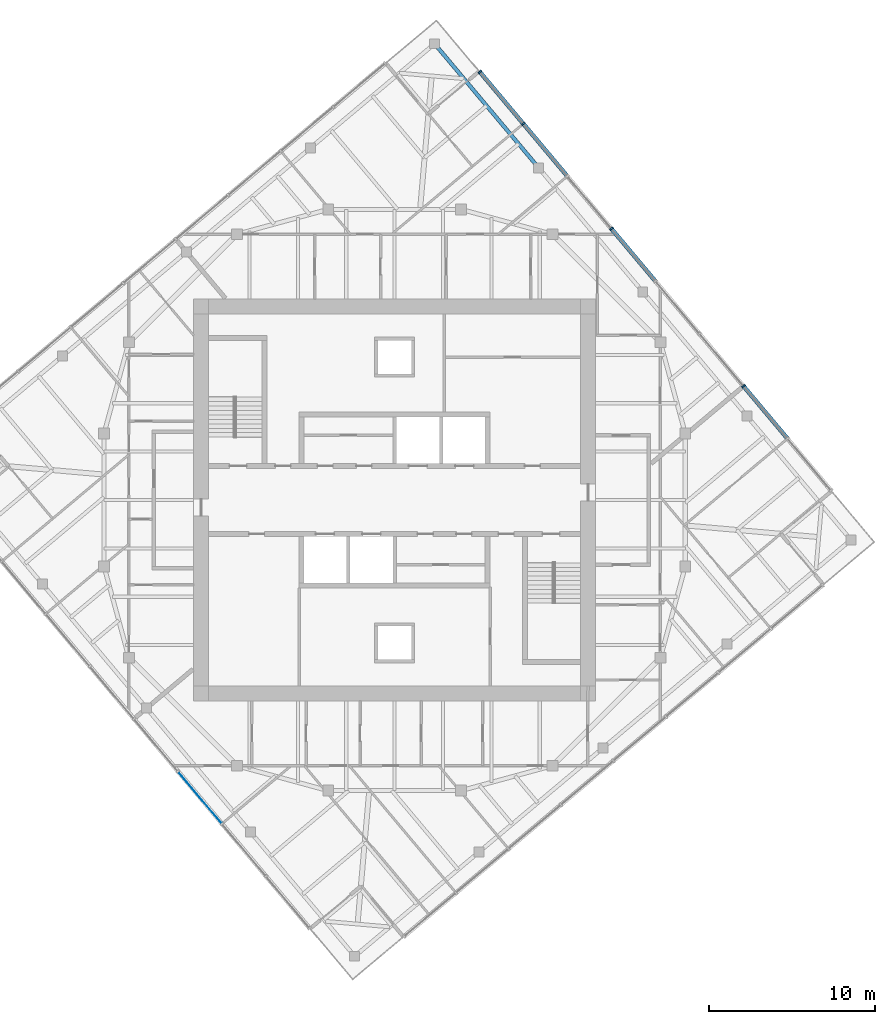
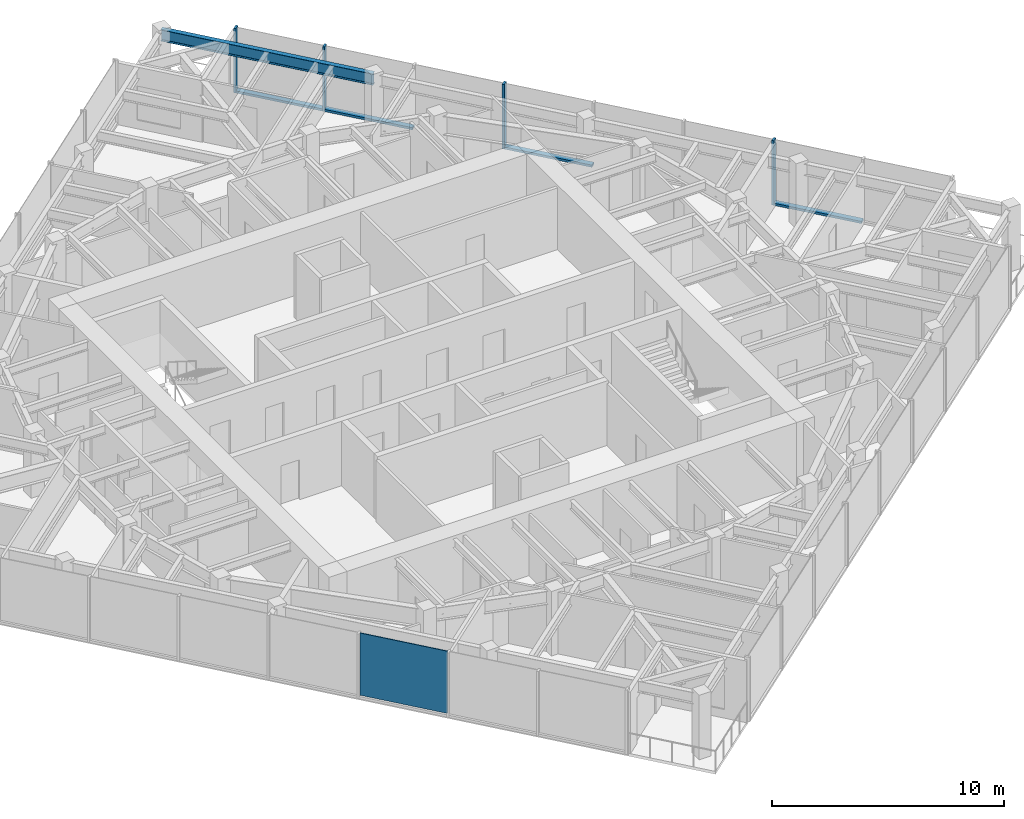
# One storey, part 5 of 12: 8 members, 1 beam, 1 plate, 2 elements without a shape of their own.
"""IFC4 building model written with IfcOpenShell, lengths in metres."""

import ifcopenshell
import ifcopenshell.guid

model = None  # the IFC model being written
_history = None  # IfcOwnerHistory: only IFC2X3 demands one
_inside = {}  # id of a spatial element -> (the spatial element, [elements in it])
_under = {}  # id of a project, library or spatial element -> (it, [spatial elements below it])
_declared = {}  # id of a project -> (the project, [libraries it declares])
_typed = {}  # id of a type object -> (the type object, [elements of that type])
_made_of = {}  # id of a material, layer set ... -> (it, [elements and type objects made of it])


def new_model(schema):
    """Start an empty IFC model of exactly this schema.

    Asked for "IFC4X3", IfcOpenShell would pick the latest addendum, in which some entities
    have other attributes; the version numbers below select the first issue.
    IFC2X3 requires an IfcOwnerHistory on every rooted entity: one is made here for all.
    """
    global model, _history
    if schema == "IFC4X3":
        model = ifcopenshell.file(schema_version=(4, 3, 0, 0))
    else:
        model = ifcopenshell.file(schema=schema)
    _inside.clear()
    _under.clear()
    _declared.clear()
    _typed.clear()
    _made_of.clear()
    _history = None
    if model.schema == "IFC2X3":
        org = make("IfcOrganization", Name="unknown")
        user = make(
            "IfcPersonAndOrganization",
            ThePerson=make("IfcPerson", FamilyName="unknown"),
            TheOrganization=org,
        )
        app = make(
            "IfcApplication",
            ApplicationDeveloper=org,
            Version="unknown",
            ApplicationFullName="unknown",
            ApplicationIdentifier="unknown",
        )
        _history = make(
            "IfcOwnerHistory",
            OwningUser=user,
            OwningApplication=app,
            ChangeAction="ADDED",
            CreationDate=0,
        )
    return model


def make(cls, **values):
    """One entity of the class cls with the attributes given. An attribute that is None is left unset."""
    return model.create_entity(
        cls, **{name: value for name, value in values.items() if value is not None}
    )


def rooted(cls, **values):
    """An entity with a GlobalId (a new one), such as an element, a storey or a relation."""
    return make(cls, GlobalId=ifcopenshell.guid.new(), OwnerHistory=_history, **values)


def si_unit(unit_type, name, prefix=None):
    """IfcSIUnit, for example si_unit("LENGTHUNIT", "METRE", prefix="MILLI")."""
    return make("IfcSIUnit", UnitType=unit_type, Prefix=prefix, Name=name)


def assignment(units):
    """IfcUnitAssignment: the units of a project."""
    return None if units is None else make("IfcUnitAssignment", Units=units)


def point(xyz):
    """IfcCartesianPoint."""
    return None if xyz is None else make("IfcCartesianPoint", Coordinates=xyz)


def direction(xyz):
    """IfcDirection."""
    return None if xyz is None else make("IfcDirection", DirectionRatios=xyz)


def frame(location, z_axis=None, x_axis=None):
    """IfcAxis2Placement3D, a coordinate frame: its origin and axes. An axis left out is left unset."""
    return make(
        "IfcAxis2Placement3D",
        Location=point(location),
        Axis=direction(z_axis),
        RefDirection=direction(x_axis),
    )


def frame_2d(location, x_axis=None):
    """IfcAxis2Placement2D, a coordinate frame in the plane: its origin and x axis."""
    return make(
        "IfcAxis2Placement2D", Location=point(location), RefDirection=direction(x_axis)
    )


def origin():
    """The frame at (0, 0, 0) with its axes left unset."""
    return frame((0.0, 0.0, 0.0))


def origin_2d():
    """The frame at (0, 0) in the plane with its x axis left unset."""
    return frame_2d((0.0, 0.0))


def place(relative_to, where):
    """IfcLocalPlacement: puts the frame where relative to a parent placement (None: the world)."""
    return make(
        "IfcLocalPlacement", PlacementRelTo=relative_to, RelativePlacement=where
    )


def context(
    kind, dimensions, precision=None, world=None, true_north=None, identifier=None
):
    """IfcGeometricRepresentationContext, for example the 3D "Model" context."""
    return make(
        "IfcGeometricRepresentationContext",
        ContextIdentifier=identifier,
        ContextType=kind,
        CoordinateSpaceDimension=dimensions,
        Precision=precision,
        WorldCoordinateSystem=world,
        TrueNorth=true_north,
    )


def subcontext(parent, identifier, kind, view, scale=None):
    """IfcGeometricRepresentationSubContext, for example "Body" below "Model"."""
    return make(
        "IfcGeometricRepresentationSubContext",
        ContextIdentifier=identifier,
        ContextType=kind,
        ParentContext=parent,
        TargetScale=scale,
        TargetView=view,
    )


def project(units=None, contexts=None):
    """IfcProject with its units and contexts."""
    return rooted(
        "IfcProject",
        Name="project",
        RepresentationContexts=contexts,
        UnitsInContext=assignment(units),
    )


def spatial(cls, under=None, at=None, **own):
    """A site, building, storey or space (cls), placed at a placement, below another one or the project."""
    s = rooted(cls, ObjectPlacement=at, **own)
    if under is not None:
        _under.setdefault(under.id(), (under, []))[1].append(s)
    return s


def profile(cls, at=None, kind="AREA", **sizes):
    """A parametric profile (cls). Its sizes go by their IFC names, for example OverallWidth=200.0."""
    return make(cls, ProfileType=kind, Position=at, **sizes)


def rectangle(**sizes):
    """IfcRectangleProfileDef."""
    return profile("IfcRectangleProfileDef", **sizes)


def i_section(**sizes):
    """IfcIShapeProfileDef."""
    return profile("IfcIShapeProfileDef", **sizes)


def extrude(swept, where, along, depth):
    """IfcExtrudedAreaSolid: the profile swept, set in the frame where, extruded along a direction by depth."""
    return make(
        "IfcExtrudedAreaSolid",
        SweptArea=swept,
        Position=where,
        ExtrudedDirection=direction(along),
        Depth=depth,
    )


def shape(context_of_items, identifier, shape_type, items):
    """IfcShapeRepresentation: the items that make up one representation, for example the "Body"."""
    return make(
        "IfcShapeRepresentation",
        ContextOfItems=context_of_items,
        RepresentationIdentifier=identifier,
        RepresentationType=shape_type,
        Items=items,
    )


def material(Name=None, Category=None):
    """IfcMaterial."""
    return make("IfcMaterial", Name=Name, Category=Category)


def layer(
    of_material, thickness, ventilated=None, Name=None, Category=None, Priority=None
):
    """IfcMaterialLayer: one layer of a wall or slab, of a material (None: an air gap)."""
    return make(
        "IfcMaterialLayer",
        Material=of_material,
        LayerThickness=thickness,
        IsVentilated=ventilated,
        Name=Name,
        Category=Category,
        Priority=Priority,
    )


def layer_set(layers, Name=None):
    """IfcMaterialLayerSet."""
    return make("IfcMaterialLayerSet", MaterialLayers=layers, LayerSetName=Name)


def material_profile(
    of_material, cross_section, Name=None, Category=None, Priority=None
):
    """IfcMaterialProfile: a cross section and its material."""
    return make(
        "IfcMaterialProfile",
        Name=Name,
        Material=of_material,
        Profile=cross_section,
        Priority=Priority,
        Category=Category,
    )


def profile_set(profiles, Name=None, composite=None):
    """IfcMaterialProfileSet."""
    return make(
        "IfcMaterialProfileSet",
        Name=Name,
        MaterialProfiles=profiles,
        CompositeProfile=composite,
    )


def made_of(thing, what):
    """Note that an element or type object is made of a material, layer set ...; save() writes the relation."""
    if what is not None:
        _made_of.setdefault(what.id(), (what, []))[1].append(thing)
    return thing


def type_object(cls, material=None, **own):
    """A type object (cls), such as IfcWallType, which elements share."""
    return made_of(rooted(cls, **own), material)


def element(
    cls,
    number,
    at=None,
    inside=None,
    cuts=None,
    type_object=None,
    material=None,
    context=None,
    identifier="Body",
    shape_type=None,
    held_by="IfcProductDefinitionShape",
    body=None,
    shapes=None,
    **own,
):
    """One element of the class cls, such as IfcWall. Its Tag is "e" and its number.

    at: its placement. inside: the storey or other place that contains it. cuts: it is an
    opening in that element (IfcRelVoidsElement). A single representation is given by context,
    identifier, shape_type and body (its items); several are given by shapes. held_by: the class
    of the entity that holds the representations. save() writes the other relations.
    """
    e = rooted(cls, Tag="e%d" % number, ObjectPlacement=at, **own)
    if body is not None:
        shapes = [shape(context, identifier, shape_type, body)]
    if shapes is not None:
        e.Representation = make(held_by, Representations=shapes)
    if inside is not None:
        _inside.setdefault(inside.id(), (inside, []))[1].append(e)
    if cuts is not None:
        rooted(
            "IfcRelVoidsElement", RelatingBuildingElement=cuts, RelatedOpeningElement=e
        )
    if type_object is not None:
        _typed.setdefault(type_object.id(), (type_object, []))[1].append(e)
    return made_of(e, material)


def aggregate(whole, parts):
    """IfcRelAggregates: a whole, such as a stair, and the parts it consists of."""
    return rooted("IfcRelAggregates", RelatingObject=whole, RelatedObjects=parts)


def save(model, path):
    """Write the relations noted so far, then the file.

    IfcRelAggregates (storeys below a building ...), IfcRelContainedInSpatialStructure (elements
    in a storey), IfcRelDefinesByType, IfcRelAssociatesMaterial and IfcRelDeclares: one each for
    every whole, place, type object, material and project.
    """
    for whole, parts in _under.values():
        aggregate(whole, parts)
    for where, things in _inside.values():
        rooted(
            "IfcRelContainedInSpatialStructure",
            RelatedElements=things,
            RelatingStructure=where,
        )
    for kind, things in _typed.values():
        rooted("IfcRelDefinesByType", RelatedObjects=things, RelatingType=kind)
    for what, things in _made_of.values():
        rooted("IfcRelAssociatesMaterial", RelatedObjects=things, RelatingMaterial=what)
    for by, libraries in _declared.values():
        rooted("IfcRelDeclares", RelatingContext=by, RelatedDefinitions=libraries)
    model.write(path)


model = new_model("IFC4")

# Units and contexts
model_context = context("Model", 3, precision=1e-05, world=origin(), true_north=direction((0.0, 1.0)))
body_context = subcontext(model_context, "Body", "Model", "MODEL_VIEW")
ifc_project = project(units=[si_unit("LENGTHUNIT", "METRE"), si_unit("AREAUNIT", "SQUARE_METRE"), si_unit("VOLUMEUNIT", "CUBIC_METRE"), si_unit("PLANEANGLEUNIT", "RADIAN"), si_unit("MASSUNIT", "GRAM", prefix="KILO")], contexts=[model_context])

# Site, building, storey
site_placement = place(None, origin())
site = spatial("IfcSite", under=ifc_project, at=site_placement, CompositionType="ELEMENT")
building_placement = place(site_placement, origin())
building = spatial("IfcBuilding", under=site, at=building_placement, Name="Torsade Residences", CompositionType="ELEMENT")
storey_placement = place(building_placement, frame((0.0, 0.0, 282.800048828125)))
storey = spatial("IfcBuildingStorey", under=building, at=storey_placement, Name="L78", CompositionType="ELEMENT", Elevation=282.800048828125)

# Beam
ifc_material_1 = material(Name="Steel grade 300", Category="steel")
ifc_material_profile_1 = material_profile(ifc_material_1, i_section(OverallWidth=0.22802734375, OverallDepth=0.60205078125, WebThickness=0.010498046875, FlangeThickness=0.014892578125, FilletRadius=0.013916015625, at=origin_2d()), Name="610UB101")
ifc_profile_set_1 = profile_set([ifc_material_profile_1], Name="Steel grade 300")
beam_type = type_object("IfcBeamType", Name="EDGE BEAM 610UB101", PredefinedType="SPANDREL", material=ifc_profile_set_1)
beam_placement = place(storey_placement, frame((48.670654296875, 50.003173828125, 2.948974609375), z_axis=(-0.642779160279, 0.766051532934, 0.0), x_axis=(-0.766051532934, -0.642779160279, 0.0)))
element("IfcBeam", 1, at=beam_placement, inside=storey, type_object=beam_type, Name="Edge beam 08 L79", PredefinedType="SPANDREL", context=body_context, shape_type="SweptSolid", body=[
    extrude(i_section(OverallWidth=0.22802734375, OverallDepth=0.60205078125, WebThickness=0.010498046875, FlangeThickness=0.014892578125, FilletRadius=0.013916015625, at=origin_2d()), origin(), (0.0, 0.0, 1.0), 9.75),
])

# Curtain wall, members
ifc_material_2 = material(Name="Aluminium and glass", Category="aluminium")
curtain_wall_type = type_object("IfcCurtainWallType", Name="FRITTED GLASS CURTAIN WALL HIGH ZONE", PredefinedType="NOTDEFINED", material=ifc_material_2)
curtain_wall_1_placement = place(storey_placement, origin())
curtain_wall_1 = element("IfcCurtainWall", 2, at=curtain_wall_1_placement, inside=storey, type_object=curtain_wall_type, Name="Curtain wall L78 face 4", PredefinedType="NOTDEFINED")
ifc_material_3 = material(Name="Aluminium mullion", Category="aluminium")
ifc_material_profile_2 = material_profile(ifc_material_3, rectangle(XDim=0.25, YDim=0.10009765625, at=origin_2d()), Name="HIGH ZONE CURTAIN WALL MULLION 250x100")
ifc_profile_set_2 = profile_set([ifc_material_profile_2], Name="Aluminium mullion")
member_type_1 = type_object("IfcMemberType", Name="HIGH ZONE CURTAIN WALL MULLION 250x100", PredefinedType="MULLION", material=ifc_profile_set_2)
member_1_placement = place(storey_placement, frame((61.0068359375, 36.857177734375, 0.0), z_axis=(0.0, 0.0, 1.0), x_axis=(-0.766044437106, -0.642787616853, 0.0)))
member_1 = element("IfcMember", 3, at=member_1_placement, type_object=member_type_1, Name="Mullion 3", PredefinedType="MULLION", context=body_context, shape_type="SweptSolid", body=[
    extrude(rectangle(XDim=0.25, YDim=0.10009765625, at=origin_2d()), origin(), (0.0, 0.0, 1.0), 3.39990234375),
])
member_2_placement = place(storey_placement, frame((53.052490234375, 46.337158203125, 0.0), z_axis=(0.0, 0.0, 1.0), x_axis=(-0.766044437106, -0.642787616853, 0.0)))
member_2 = element("IfcMember", 4, at=member_2_placement, type_object=member_type_1, Name="Mullion 6", PredefinedType="MULLION", context=body_context, shape_type="SweptSolid", body=[
    extrude(rectangle(XDim=0.25, YDim=0.10009765625, at=origin_2d()), origin(), (0.0, 0.0, 1.0), 3.39990234375),
])
member_3_placement = place(storey_placement, frame((47.74951171875, 52.656982421875, 0.0), z_axis=(0.0, 0.0, 1.0), x_axis=(-0.766044437106, -0.642787616853, 0.0)))
member_3 = element("IfcMember", 5, at=member_3_placement, type_object=member_type_1, Name="Mullion 8", PredefinedType="MULLION", context=body_context, shape_type="SweptSolid", body=[
    extrude(rectangle(XDim=0.25, YDim=0.10009765625, at=origin_2d()), origin(), (0.0, 0.0, 1.0), 3.39990234375),
])
member_4_placement = place(storey_placement, frame((45.130126953125, 55.778564453125, 0.0), z_axis=(0.0, 0.0, 1.0), x_axis=(-0.766044437106, -0.642787616853, 0.0)))
member_4 = element("IfcMember", 6, at=member_4_placement, type_object=member_type_1, Name="Mullion 9", PredefinedType="MULLION", context=body_context, shape_type="SweptSolid", body=[
    extrude(rectangle(XDim=0.25, YDim=0.10009765625, at=origin_2d()), origin(), (0.0, 0.0, 1.0), 3.39990234375),
])
ifc_material_4 = material(Name="Aluminium transom", Category="aluminium")
ifc_material_profile_3 = material_profile(ifc_material_4, rectangle(XDim=0.25, YDim=0.1201171875, at=origin_2d()), Name="HIGH ZONE CURTAIN WALL TRANSOM 250x120")
ifc_profile_set_3 = profile_set([ifc_material_profile_3], Name="Aluminium transom")
member_type_2 = type_object("IfcMemberType", Name="HIGH ZONE CURTAIN WALL TRANSOM 250x120", PredefinedType="USERDEFINED", material=ifc_profile_set_3)
member_5_placement = place(storey_placement, frame((63.626220703125, 33.735595703125, 0.06005859375), z_axis=(-0.6427581255, 0.766069182322, 0.0), x_axis=(-0.766069182322, -0.6427581255, 0.0)))
member_5 = element("IfcMember", 7, at=member_5_placement, type_object=member_type_2, Name="Transom 2.1", ObjectType="TRANSOM", PredefinedType="USERDEFINED", context=body_context, shape_type="SweptSolid", body=[
    extrude(rectangle(XDim=0.25, YDim=0.1201171875, at=origin_2d()), origin(), (0.0, 0.0, 1.0), 4.025146484375),
])
member_6_placement = place(storey_placement, frame((55.671875, 43.21533203125, 0.06005859375), z_axis=(-0.642793719372, 0.766039316443, 0.0), x_axis=(-0.766039316443, -0.642793719372, 0.0)))
member_6 = element("IfcMember", 8, at=member_6_placement, type_object=member_type_2, Name="Transom 5.1", ObjectType="TRANSOM", PredefinedType="USERDEFINED", context=body_context, shape_type="SweptSolid", body=[
    extrude(rectangle(XDim=0.25, YDim=0.1201171875, at=origin_2d()), origin(), (0.0, 0.0, 1.0), 4.025146484375),
])
member_7_placement = place(storey_placement, frame((50.36865234375, 49.535400390625, 0.06005859375), z_axis=(-0.642787992616, 0.766044121803, 0.0), x_axis=(-0.766044121803, -0.642787992616, 0.0)))
member_7 = element("IfcMember", 9, at=member_7_placement, type_object=member_type_2, Name="Transom 7.1", ObjectType="TRANSOM", PredefinedType="USERDEFINED", context=body_context, shape_type="SweptSolid", body=[
    extrude(rectangle(XDim=0.25, YDim=0.1201171875, at=origin_2d()), origin(), (0.0, 0.0, 1.0), 4.02490234375),
])
member_8_placement = place(storey_placement, frame((47.71728515625, 52.6953125, 0.06005859375), z_axis=(-0.642814619413, 0.766021778456, 0.0), x_axis=(-0.766021778456, -0.642814619413, 0.0)))
member_8 = element("IfcMember", 10, at=member_8_placement, type_object=member_type_2, Name="Transom 8.1", ObjectType="TRANSOM", PredefinedType="USERDEFINED", context=body_context, shape_type="SweptSolid", body=[
    extrude(rectangle(XDim=0.25, YDim=0.1201171875, at=origin_2d()), origin(), (0.0, 0.0, 1.0), 3.97509765625),
])
aggregate(curtain_wall_1, [member_1, member_2, member_3, member_4, member_5, member_6, member_7, member_8])

# Curtain wall, plate
curtain_wall_2_placement = place(storey_placement, origin())
curtain_wall_2 = element("IfcCurtainWall", 11, at=curtain_wall_2_placement, inside=storey, type_object=curtain_wall_type, Name="Curtain wall L78 face 10", PredefinedType="NOTDEFINED")
ifc_material_5 = material(Name="Laminated glass", Category="glass")
ifc_layer = layer(ifc_material_5, 0.0400390625)
ifc_layer_set = layer_set([ifc_layer], Name="Laminated glass")
plate_type = type_object("IfcPlateType", Name="OPERABLE VENT PANEL", PredefinedType="CURTAIN_PANEL", material=ifc_layer_set)
plate_placement = place(storey_placement, frame((28.2734375, 12.0830078125, 0.1201171875), z_axis=(0.0, 0.0, 1.0), x_axis=(0.642787616853, -0.766044437106, 0.0)))
plate = element("IfcPlate", 12, at=plate_placement, type_object=plate_type, Name="Panel 6", PredefinedType="CURTAIN_PANEL", context=body_context, shape_type="SweptSolid", body=[
    extrude(rectangle(XDim=4.02490234375, YDim=0.0400390625, at=origin_2d()), origin(), (0.0, 0.0, 1.0), 3.280029296875),
])
aggregate(curtain_wall_2, [plate])

save(model, "model.ifc")
